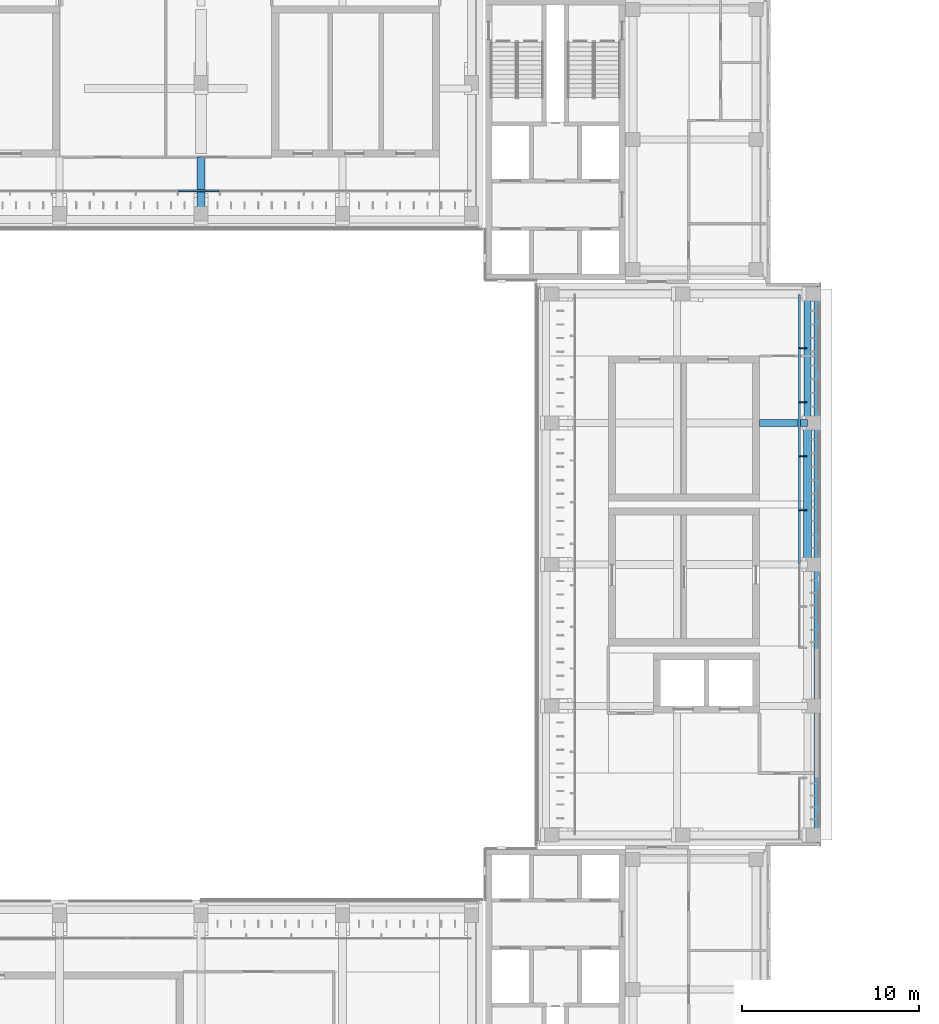
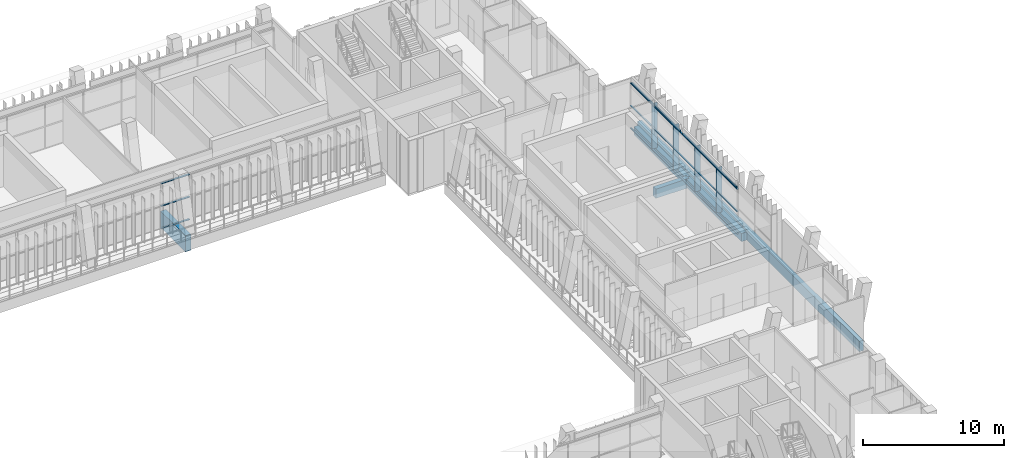
# One storey, part 42 of 89: 22 members, 7 beams, 2 elements without a shape of their own.
"""IFC4 building model written with IfcOpenShell, lengths in metres."""

from ifc_helpers import new_model, si_unit, direction, frame, origin, origin_2d, place, context, subcontext, project, spatial, rectangle, hollow_rectangle, extrude, material, material_profile, profile_set, type_object, element, aggregate, save


model = new_model("IFC4")

# Units and contexts
model_context = context("Model", 3, precision=1e-05, world=origin(), true_north=direction((0.0, 1.0)))
body_context = subcontext(model_context, "Body", "Model", "MODEL_VIEW")
ifc_project = project(units=[si_unit("LENGTHUNIT", "METRE"), si_unit("AREAUNIT", "SQUARE_METRE"), si_unit("VOLUMEUNIT", "CUBIC_METRE"), si_unit("PLANEANGLEUNIT", "RADIAN"), si_unit("MASSUNIT", "GRAM", prefix="KILO")], contexts=[model_context])

# Site, building, storey
site_placement = place(None, origin())
site = spatial("IfcSite", under=ifc_project, at=site_placement, CompositionType="ELEMENT")
building_placement = place(site_placement, origin())
building = spatial("IfcBuilding", under=site, at=building_placement, Name="Lantern Court Media Centre", CompositionType="ELEMENT")
storey_placement = place(building_placement, frame((0.0, 0.0, 14.39990234375)))
storey = spatial("IfcBuildingStorey", under=building, at=storey_placement, Name="L03", CompositionType="ELEMENT", Elevation=14.39990234375)

# Curtain wall, members
ifc_material_1 = material(Name="Curtain wall bay 3000")
curtain_wall_type_1 = type_object("IfcCurtainWallType", Name="Curtain wall bay 3000", PredefinedType="NOTDEFINED", material=ifc_material_1)
curtain_wall_1_placement = place(storey_placement, origin())
curtain_wall_1 = element("IfcCurtainWall", 1, at=curtain_wall_1_placement, inside=storey, type_object=curtain_wall_type_1, Name="Curtain wall E outer L03", PredefinedType="NOTDEFINED")
ifc_material_2 = material(Name="Anodised aluminium", Category="aluminium")
ifc_material_profile_1 = material_profile(ifc_material_2, rectangle(XDim=0.449951171875, YDim=0.06005859375, at=origin_2d()), Name="AL 60x450")
ifc_profile_set_1 = profile_set([ifc_material_profile_1], Name="Anodised aluminium")
member_type_1 = type_object("IfcMemberType", Name="Curtain wall mullion 60x450", PredefinedType="MULLION", material=ifc_profile_set_1)
member_1_placement = place(storey_placement, frame((98.044921875, 83.06005859375, 0.0), z_axis=(0.0, 0.0, 1.0), x_axis=(-1.0, 0.0, 0.0)))
member_1 = element("IfcMember", 2, at=member_1_placement, type_object=member_type_1, Name="CW1 mullion 2", PredefinedType="MULLION", context=body_context, shape_type="SweptSolid", body=[
    extrude(rectangle(XDim=0.449951171875, YDim=0.06005859375, at=origin_2d()), origin(), (0.0, 0.0, 1.0), 3.9501953125),
])
member_2_placement = place(storey_placement, frame((98.044921875, 86.1201171875, 0.0), z_axis=(0.0, 0.0, 1.0), x_axis=(-1.0, 0.0, 0.0)))
member_2 = element("IfcMember", 3, at=member_2_placement, type_object=member_type_1, Name="CW1 mullion 3", PredefinedType="MULLION", context=body_context, shape_type="SweptSolid", body=[
    extrude(rectangle(XDim=0.449951171875, YDim=0.06005859375, at=origin_2d()), origin(), (0.0, 0.0, 1.0), 3.9501953125),
])
member_3_placement = place(storey_placement, frame((98.044921875, 89.179931640625, 0.0), z_axis=(0.0, 0.0, 1.0), x_axis=(-1.0, 0.0, 0.0)))
member_3 = element("IfcMember", 4, at=member_3_placement, type_object=member_type_1, Name="CW1 mullion 4", PredefinedType="MULLION", context=body_context, shape_type="SweptSolid", body=[
    extrude(rectangle(XDim=0.449951171875, YDim=0.06005859375, at=origin_2d()), origin(), (0.0, 0.0, 1.0), 3.9501953125),
])
member_4_placement = place(storey_placement, frame((98.044921875, 92.239990234375, 0.0), z_axis=(0.0, 0.0, 1.0), x_axis=(-1.0, 0.0, 0.0)))
member_4 = element("IfcMember", 5, at=member_4_placement, type_object=member_type_1, Name="CW1 mullion 5", PredefinedType="MULLION", context=body_context, shape_type="SweptSolid", body=[
    extrude(rectangle(XDim=0.449951171875, YDim=0.06005859375, at=origin_2d()), origin(), (0.0, 0.0, 1.0), 3.9501953125),
])

ifc_material_3 = material(Name="Curtain wall bay 2400")
curtain_wall_type_2 = type_object("IfcCurtainWallType", Name="Curtain wall bay 2400", PredefinedType="NOTDEFINED", material=ifc_material_3)
curtain_wall_2_placement = place(storey_placement, origin())
curtain_wall_2 = element("IfcCurtainWall", 6, at=curtain_wall_2_placement, inside=storey, type_object=curtain_wall_type_2, Name="Curtain wall N inner L03", PredefinedType="NOTDEFINED")
ifc_material_profile_2 = material_profile(ifc_material_2, rectangle(XDim=0.10009765625, YDim=0.050048828125, at=origin_2d()), Name="AL 50x100")
ifc_profile_set_2 = profile_set([ifc_material_profile_2], Name="Anodised aluminium")
member_type_2 = type_object("IfcMemberType", Name="Curtain wall transom 100x50", PredefinedType="USERDEFINED", material=ifc_profile_set_2)
member_5_placement = place(storey_placement, frame((62.70751953125, 101.14990234375, 0.025146484375), z_axis=(1.0, 0.0, 0.0), x_axis=(0.0, 1.0, 0.0)))
member_5 = element("IfcMember", 7, at=member_5_placement, type_object=member_type_2, Name="CW2 transom 17.1", ObjectType="TRANSOM", PredefinedType="USERDEFINED", context=body_context, shape_type="SweptSolid", body=[
    extrude(rectangle(XDim=0.10009765625, YDim=0.050048828125, at=origin_2d()), origin(), (0.0, 0.0, 1.0), 2.323974609375),
])
member_6_placement = place(storey_placement, frame((62.70751953125, 101.14990234375, 1.97509765625), z_axis=(1.0, 0.0, 0.0), x_axis=(0.0, 1.0, 0.0)))
member_6 = element("IfcMember", 8, at=member_6_placement, type_object=member_type_2, Name="CW2 transom 17.2", ObjectType="TRANSOM", PredefinedType="USERDEFINED", context=body_context, shape_type="SweptSolid", body=[
    extrude(rectangle(XDim=0.10009765625, YDim=0.050048828125, at=origin_2d()), origin(), (0.0, 0.0, 1.0), 2.323974609375),
])
member_7_placement = place(storey_placement, frame((62.70751953125, 101.14990234375, 3.925048828125), z_axis=(1.0, 0.0, 0.0), x_axis=(0.0, 1.0, 0.0)))
member_7 = element("IfcMember", 9, at=member_7_placement, type_object=member_type_2, Name="CW2 transom 17.3", ObjectType="TRANSOM", PredefinedType="USERDEFINED", context=body_context, shape_type="SweptSolid", body=[
    extrude(rectangle(XDim=0.10009765625, YDim=0.050048828125, at=origin_2d()), origin(), (0.0, 0.0, 1.0), 2.323974609375),
])
aggregate(curtain_wall_2, [member_5, member_6, member_7])

# Member
ifc_material_profile_3 = material_profile(ifc_material_2, rectangle(XDim=0.1201171875, YDim=0.06005859375, at=origin_2d()), Name="AL 60x120")
ifc_profile_set_3 = profile_set([ifc_material_profile_3], Name="Anodised aluminium")
member_type_3 = type_object("IfcMemberType", Name="Curtain wall transom 60x120", PredefinedType="USERDEFINED", material=ifc_profile_set_3)
member_8_placement = place(storey_placement, frame((97.85009765625, 80.06005859375, 0.030029296875), z_axis=(0.0, 1.0, 0.0), x_axis=(-1.0, 0.0, 0.0)))
member_8 = element("IfcMember", 10, at=member_8_placement, type_object=member_type_3, Name="CW1 transom 1.1", ObjectType="TRANSOM", PredefinedType="USERDEFINED", context=body_context, shape_type="SweptSolid", body=[
    extrude(rectangle(XDim=0.1201171875, YDim=0.06005859375, at=origin_2d()), origin(), (0.0, 0.0, 1.0), 2.969970703125),
])

member_9_placement = place(storey_placement, frame((97.85009765625, 80.06005859375, 1.97509765625), z_axis=(0.0, 1.0, 0.0), x_axis=(-1.0, 0.0, 0.0)))
member_9 = element("IfcMember", 11, at=member_9_placement, type_object=member_type_3, Name="CW1 transom 1.2", ObjectType="TRANSOM", PredefinedType="USERDEFINED", context=body_context, shape_type="SweptSolid", body=[
    extrude(rectangle(XDim=0.1201171875, YDim=0.06005859375, at=origin_2d()), origin(), (0.0, 0.0, 1.0), 2.969970703125),
])

member_10_placement = place(storey_placement, frame((97.85009765625, 80.06005859375, 3.920166015625), z_axis=(0.0, 1.0, 0.0), x_axis=(-1.0, 0.0, 0.0)))
member_10 = element("IfcMember", 12, at=member_10_placement, type_object=member_type_3, Name="CW1 transom 1.3", ObjectType="TRANSOM", PredefinedType="USERDEFINED", context=body_context, shape_type="SweptSolid", body=[
    extrude(rectangle(XDim=0.1201171875, YDim=0.06005859375, at=origin_2d()), origin(), (0.0, 0.0, 1.0), 2.969970703125),
])

member_11_placement = place(storey_placement, frame((97.85009765625, 83.090087890625, 0.030029296875), z_axis=(0.0, 1.0, 0.0), x_axis=(-1.0, 0.0, 0.0)))
member_11 = element("IfcMember", 13, at=member_11_placement, type_object=member_type_3, Name="CW1 transom 2.1", ObjectType="TRANSOM", PredefinedType="USERDEFINED", context=body_context, shape_type="SweptSolid", body=[
    extrude(rectangle(XDim=0.1201171875, YDim=0.06005859375, at=origin_2d()), origin(), (0.0, 0.0, 1.0), 3.0),
])

member_12_placement = place(storey_placement, frame((97.85009765625, 83.090087890625, 1.97509765625), z_axis=(0.0, 1.0, 0.0), x_axis=(-1.0, 0.0, 0.0)))
member_12 = element("IfcMember", 14, at=member_12_placement, type_object=member_type_3, Name="CW1 transom 2.2", ObjectType="TRANSOM", PredefinedType="USERDEFINED", context=body_context, shape_type="SweptSolid", body=[
    extrude(rectangle(XDim=0.1201171875, YDim=0.06005859375, at=origin_2d()), origin(), (0.0, 0.0, 1.0), 3.0),
])

member_13_placement = place(storey_placement, frame((97.85009765625, 83.090087890625, 3.920166015625), z_axis=(0.0, 1.0, 0.0), x_axis=(-1.0, 0.0, 0.0)))
member_13 = element("IfcMember", 15, at=member_13_placement, type_object=member_type_3, Name="CW1 transom 2.3", ObjectType="TRANSOM", PredefinedType="USERDEFINED", context=body_context, shape_type="SweptSolid", body=[
    extrude(rectangle(XDim=0.1201171875, YDim=0.06005859375, at=origin_2d()), origin(), (0.0, 0.0, 1.0), 3.0),
])

member_14_placement = place(storey_placement, frame((97.85009765625, 86.14990234375, 0.030029296875), z_axis=(0.0, 1.0, 0.0), x_axis=(-1.0, 0.0, 0.0)))
member_14 = element("IfcMember", 16, at=member_14_placement, type_object=member_type_3, Name="CW1 transom 3.1", ObjectType="TRANSOM", PredefinedType="USERDEFINED", context=body_context, shape_type="SweptSolid", body=[
    extrude(rectangle(XDim=0.1201171875, YDim=0.06005859375, at=origin_2d()), origin(), (0.0, 0.0, 1.0), 3.0),
])

member_15_placement = place(storey_placement, frame((97.85009765625, 86.14990234375, 1.97509765625), z_axis=(0.0, 1.0, 0.0), x_axis=(-1.0, 0.0, 0.0)))
member_15 = element("IfcMember", 17, at=member_15_placement, type_object=member_type_3, Name="CW1 transom 3.2", ObjectType="TRANSOM", PredefinedType="USERDEFINED", context=body_context, shape_type="SweptSolid", body=[
    extrude(rectangle(XDim=0.1201171875, YDim=0.06005859375, at=origin_2d()), origin(), (0.0, 0.0, 1.0), 3.0),
])

member_16_placement = place(storey_placement, frame((97.85009765625, 86.14990234375, 3.920166015625), z_axis=(0.0, 1.0, 0.0), x_axis=(-1.0, 0.0, 0.0)))
member_16 = element("IfcMember", 18, at=member_16_placement, type_object=member_type_3, Name="CW1 transom 3.3", ObjectType="TRANSOM", PredefinedType="USERDEFINED", context=body_context, shape_type="SweptSolid", body=[
    extrude(rectangle(XDim=0.1201171875, YDim=0.06005859375, at=origin_2d()), origin(), (0.0, 0.0, 1.0), 3.0),
])

member_17_placement = place(storey_placement, frame((97.85009765625, 89.2099609375, 0.030029296875), z_axis=(0.0, 1.0, 0.0), x_axis=(-1.0, 0.0, 0.0)))
member_17 = element("IfcMember", 19, at=member_17_placement, type_object=member_type_3, Name="CW1 transom 4.1", ObjectType="TRANSOM", PredefinedType="USERDEFINED", context=body_context, shape_type="SweptSolid", body=[
    extrude(rectangle(XDim=0.1201171875, YDim=0.06005859375, at=origin_2d()), origin(), (0.0, 0.0, 1.0), 3.0),
])

member_18_placement = place(storey_placement, frame((97.85009765625, 89.2099609375, 1.97509765625), z_axis=(0.0, 1.0, 0.0), x_axis=(-1.0, 0.0, 0.0)))
member_18 = element("IfcMember", 20, at=member_18_placement, type_object=member_type_3, Name="CW1 transom 4.2", ObjectType="TRANSOM", PredefinedType="USERDEFINED", context=body_context, shape_type="SweptSolid", body=[
    extrude(rectangle(XDim=0.1201171875, YDim=0.06005859375, at=origin_2d()), origin(), (0.0, 0.0, 1.0), 3.0),
])

member_19_placement = place(storey_placement, frame((97.85009765625, 89.2099609375, 3.920166015625), z_axis=(0.0, 1.0, 0.0), x_axis=(-1.0, 0.0, 0.0)))
member_19 = element("IfcMember", 21, at=member_19_placement, type_object=member_type_3, Name="CW1 transom 4.3", ObjectType="TRANSOM", PredefinedType="USERDEFINED", context=body_context, shape_type="SweptSolid", body=[
    extrude(rectangle(XDim=0.1201171875, YDim=0.06005859375, at=origin_2d()), origin(), (0.0, 0.0, 1.0), 3.0),
])

member_20_placement = place(storey_placement, frame((97.85009765625, 92.27001953125, 0.030029296875), z_axis=(0.0, 1.0, 0.0), x_axis=(-1.0, 0.0, 0.0)))
member_20 = element("IfcMember", 22, at=member_20_placement, type_object=member_type_3, Name="CW1 transom 5.1", ObjectType="TRANSOM", PredefinedType="USERDEFINED", context=body_context, shape_type="SweptSolid", body=[
    extrude(rectangle(XDim=0.1201171875, YDim=0.06005859375, at=origin_2d()), origin(), (0.0, 0.0, 1.0), 2.969970703125),
])

member_21_placement = place(storey_placement, frame((97.85009765625, 92.27001953125, 1.97509765625), z_axis=(0.0, 1.0, 0.0), x_axis=(-1.0, 0.0, 0.0)))
member_21 = element("IfcMember", 23, at=member_21_placement, type_object=member_type_3, Name="CW1 transom 5.2", ObjectType="TRANSOM", PredefinedType="USERDEFINED", context=body_context, shape_type="SweptSolid", body=[
    extrude(rectangle(XDim=0.1201171875, YDim=0.06005859375, at=origin_2d()), origin(), (0.0, 0.0, 1.0), 2.969970703125),
])

member_22_placement = place(storey_placement, frame((97.85009765625, 92.27001953125, 3.920166015625), z_axis=(0.0, 1.0, 0.0), x_axis=(-1.0, 0.0, 0.0)))
member_22 = element("IfcMember", 24, at=member_22_placement, type_object=member_type_3, Name="CW1 transom 5.3", ObjectType="TRANSOM", PredefinedType="USERDEFINED", context=body_context, shape_type="SweptSolid", body=[
    extrude(rectangle(XDim=0.1201171875, YDim=0.06005859375, at=origin_2d()), origin(), (0.0, 0.0, 1.0), 2.969970703125),
])

aggregate(curtain_wall_1, [member_1, member_2, member_3, member_4, member_8, member_9, member_10, member_11, member_12, member_13, member_14, member_15, member_16, member_17, member_18, member_19, member_20, member_21, member_22])

# Beams
ifc_material_4 = material(Name="Steel S355J2 (EN 10025-2)", Category="steel")
ifc_material_profile_4 = material_profile(ifc_material_4, hollow_rectangle(XDim=0.10009765625, YDim=0.14990234375, WallThickness=0.00634765625, InnerFilletRadius=0.00634765625, OuterFilletRadius=0.009521484375, at=origin_2d()), Name="Facade head lintel RHS 150x100x6.3")
ifc_profile_set_4 = profile_set([ifc_material_profile_4], Name="Steel S355J2 (EN 10025-2)")
beam_type_1 = type_object("IfcBeamType", Name="Facade head lintel RHS 150x100x6.3", PredefinedType="BEAM", material=ifc_profile_set_4)
beam_1_placement = place(storey_placement, frame((97.85009765625, 80.199951171875, 4.025146484375), z_axis=(0.0, 1.0, 0.0), x_axis=(-1.0, 0.0, 0.0)))
element("IfcBeam", 25, at=beam_1_placement, inside=storey, type_object=beam_type_1, Name="Facade head lintel E L03", PredefinedType="BEAM", context=body_context, shape_type="SweptSolid", body=[
    extrude(hollow_rectangle(XDim=0.10009765625, YDim=0.14990234375, WallThickness=0.00634765625, InnerFilletRadius=0.00634765625, OuterFilletRadius=0.009521484375, at=origin_2d()), origin(), (0.0, 0.0, 1.0), 7.60009765625),
])
beam_2_placement = place(storey_placement, frame((97.85009765625, 88.199951171875, 4.025146484375), z_axis=(0.0, 1.0, 0.0), x_axis=(-1.0, 0.0, 0.0)))
element("IfcBeam", 26, at=beam_2_placement, inside=storey, type_object=beam_type_1, Name="Facade head lintel E L03", PredefinedType="BEAM", context=body_context, shape_type="SweptSolid", body=[
    extrude(hollow_rectangle(XDim=0.10009765625, YDim=0.14990234375, WallThickness=0.00634765625, InnerFilletRadius=0.00634765625, OuterFilletRadius=0.009521484375, at=origin_2d()), origin(), (0.0, 0.0, 1.0), 6.900146484375),
])
ifc_material_5 = material(Name="Concrete C35", Category="concrete")
ifc_material_profile_5 = material_profile(ifc_material_5, rectangle(XDim=0.35009765625, YDim=0.89990234375, at=origin_2d()), Name="RC 350x900")
ifc_profile_set_5 = profile_set([ifc_material_profile_5], Name="Concrete C35")
beam_type_2 = type_object("IfcBeamType", Name="RC BEAM 350x900", PredefinedType="BEAM", material=ifc_profile_set_5)
beam_3_placement = place(storey_placement, frame((98.85009765625, 64.25, -0.449951171875), z_axis=(0.0, 1.0, 0.0), x_axis=(-1.0, 0.0, 0.0)))
element("IfcBeam", 27, at=beam_3_placement, inside=storey, type_object=beam_type_2, Name="EB-E-L03-B", PredefinedType="BEAM", context=body_context, shape_type="SweptSolid", body=[
    extrude(rectangle(XDim=0.35009765625, YDim=0.89990234375, at=origin_2d()), origin(), (0.0, 0.0, 1.0), 31.5),
])
ifc_material_profile_6 = material_profile(ifc_material_5, rectangle(XDim=0.39990234375, YDim=0.699951171875, at=origin_2d()), Name="RC 400x700")
ifc_profile_set_6 = profile_set([ifc_material_profile_6], Name="Concrete C35")
beam_type_3 = type_object("IfcBeamType", Name="RC BEAM 400x700", PredefinedType="BEAM", material=ifc_profile_set_6)
beam_4_placement = place(storey_placement, frame((98.3271484375, 88.0, -0.349853515625), z_axis=(0.0, 1.0, 0.0), x_axis=(-1.0, 0.0, 0.0)))
element("IfcBeam", 28, at=beam_4_placement, inside=storey, type_object=beam_type_3, Name="LB-E-L03-2-3", PredefinedType="BEAM", context=body_context, shape_type="SweptSolid", body=[
    extrude(rectangle(XDim=0.39990234375, YDim=0.699951171875, at=origin_2d()), origin(), (0.0, 0.0, 1.0), 7.300048828125),
])
ifc_material_profile_7 = material_profile(ifc_material_5, rectangle(XDim=0.39990234375, YDim=0.800048828125, at=origin_2d()), Name="RC 400x800")
ifc_profile_set_7 = profile_set([ifc_material_profile_7], Name="Concrete C35")
beam_type_4 = type_object("IfcBeamType", Name="RC BEAM 400x800", PredefinedType="BEAM", material=ifc_profile_set_7)
beam_5_placement = place(storey_placement, frame((95.60009765625, 88.0, -0.39990234375), z_axis=(1.0, 0.0, 0.0), x_axis=(0.0, 1.0, 0.0)))
element("IfcBeam", 29, at=beam_5_placement, inside=storey, type_object=beam_type_4, Name="TB-E-L03-3-12", PredefinedType="BEAM", context=body_context, shape_type="SweptSolid", body=[
    extrude(rectangle(XDim=0.39990234375, YDim=0.800048828125, at=origin_2d()), origin(), (0.0, 0.0, 1.0), 2.716552734375),
])
ifc_material_profile_8 = material_profile(ifc_material_5, rectangle(XDim=0.449951171875, YDim=1.39990234375, at=origin_2d()), Name="RC 450x1400")
ifc_profile_set_8 = profile_set([ifc_material_profile_8], Name="Concrete C35")
beam_type_5 = type_object("IfcBeamType", Name="RC BEAM 450x1400", PredefinedType="BEAM", material=ifc_profile_set_8)
beam_6_placement = place(storey_placement, frame((64.0, 99.5166015625, -0.699951171875), z_axis=(0.0, 1.0, 0.0), x_axis=(-1.0, 0.0, 0.0)))
element("IfcBeam", 30, at=beam_6_placement, inside=storey, type_object=beam_type_5, Name="TB-N-L03-5-1", PredefinedType="BEAM", context=body_context, shape_type="SweptSolid", body=[
    extrude(rectangle(XDim=0.449951171875, YDim=1.39990234375, at=origin_2d()), origin(), (0.0, 0.0, 1.0), 3.533447265625),
])
ifc_material_profile_9 = material_profile(ifc_material_5, rectangle(XDim=0.449951171875, YDim=0.699951171875, at=origin_2d()), Name="RC 450x700")
ifc_profile_set_9 = profile_set([ifc_material_profile_9], Name="Concrete C35")
beam_type_6 = type_object("IfcBeamType", Name="RC BEAM 450x700", PredefinedType="BEAM", material=ifc_profile_set_9)
beam_7_placement = place(storey_placement, frame((98.3271484375, 80.0, -0.349853515625), z_axis=(0.0, 1.0, 0.0), x_axis=(-1.0, 0.0, 0.0)))
element("IfcBeam", 31, at=beam_7_placement, inside=storey, type_object=beam_type_6, Name="LB-E-L03-2-2", PredefinedType="BEAM", context=body_context, shape_type="SweptSolid", body=[
    extrude(rectangle(XDim=0.449951171875, YDim=0.699951171875, at=origin_2d()), origin(), (0.0, 0.0, 1.0), 8.0),
])

save(model, "model.ifc")
